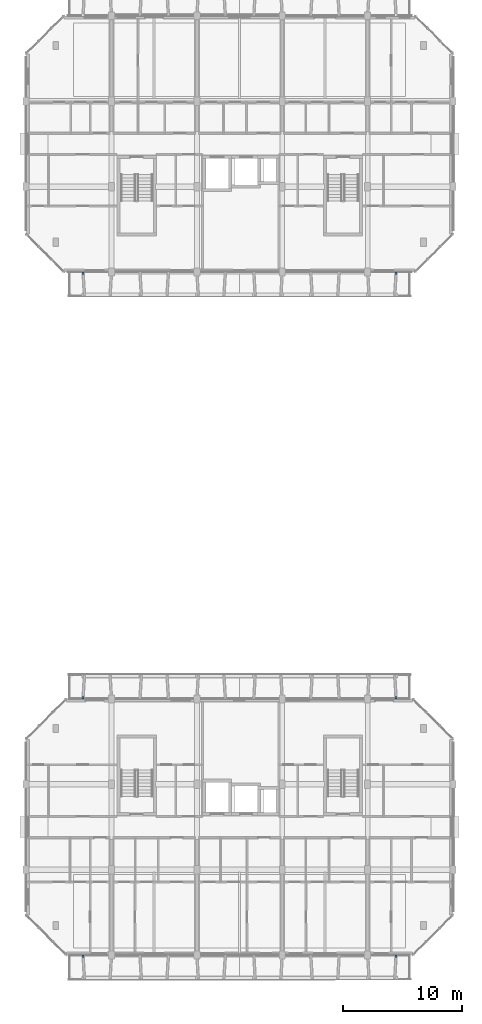
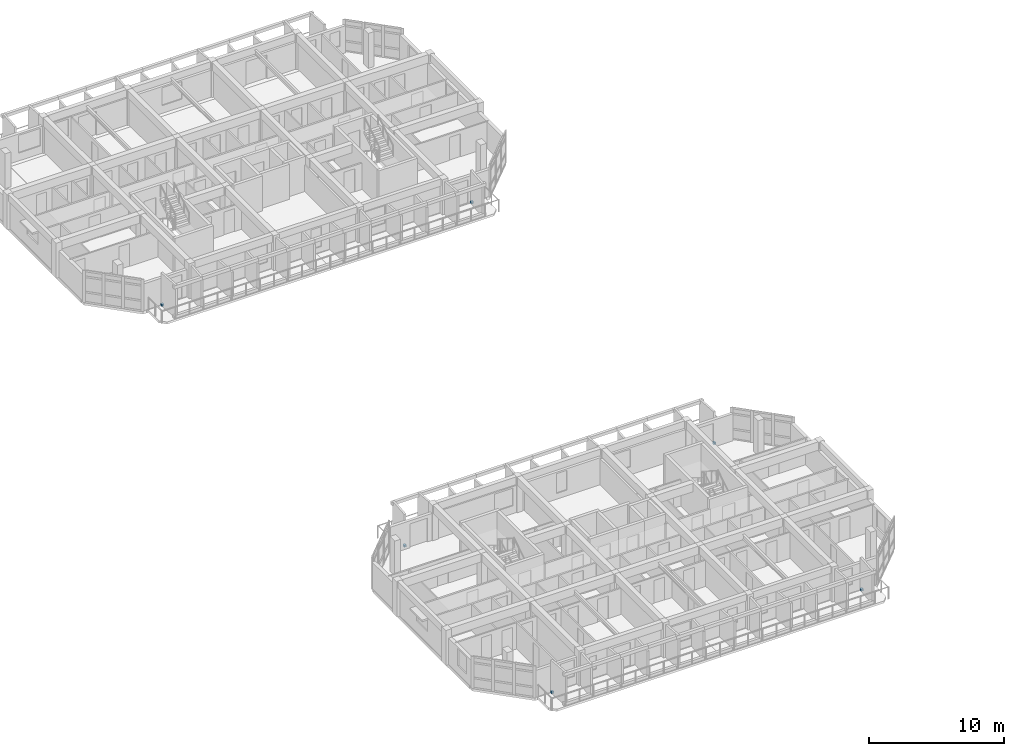
# One storey, part 29 of 43: 6 discrete accessories.
"""IFC4 building model written with IfcOpenShell, lengths in metres."""

from ifc_helpers import new_model, si_unit, direction, frame, origin, origin_2d, place, context, subcontext, project, spatial, rectangle, extrude, material, type_object, element, save


model = new_model("IFC4")

# Units and contexts
model_context = context("Model", 3, precision=1e-05, world=origin(), true_north=direction((0.0, 1.0)))
body_context = subcontext(model_context, "Body", "Model", "MODEL_VIEW")
ifc_project = project(units=[si_unit("LENGTHUNIT", "METRE"), si_unit("AREAUNIT", "SQUARE_METRE"), si_unit("VOLUMEUNIT", "CUBIC_METRE"), si_unit("PLANEANGLEUNIT", "RADIAN"), si_unit("MASSUNIT", "GRAM", prefix="KILO")], contexts=[model_context])

# Site, building, storey
site_placement = place(None, origin())
site = spatial("IfcSite", under=ifc_project, at=site_placement, CompositionType="ELEMENT")
building_placement = place(site_placement, origin())
building = spatial("IfcBuilding", under=site, at=building_placement, Name="Ochrevale Crest", CompositionType="ELEMENT")
storey_placement = place(building_placement, frame((0.0, 0.0, 15.0)))
storey = spatial("IfcBuildingStorey", under=building, at=storey_placement, Name="L04", CompositionType="ELEMENT", Elevation=15.0)

# Discrete accessories
ifc_material = material(Name="Galvanised steel", Category="steel")
discrete_accessory_type = type_object("IfcDiscreteAccessoryType", Name="ACC-BRK-HC", PredefinedType="BRACKET", material=ifc_material)
for number, where, z_axis, x_axis, name in (
    (1, (4.800048828125, 14.300048828125, 0.0), (0.0, 0.0, 1.0), (1.0, 0.0, 0.0), "Block A L04 precast loggia corbel bracket"),
    (2, (31.199951171875, 14.300048828125, 0.0), (0.0, 0.0, 1.0), (1.0, 0.0, 0.0), "Block A L04 precast loggia corbel bracket"),
    (3, (4.800048828125, 36.10009765625, 0.0), (0.0, 0.0, 1.0), (1.0, 0.0, 0.0), "Block A L04 precast loggia corbel bracket"),
    (4, (31.199951171875, 36.10009765625, 0.0), (0.0, 0.0, 1.0), (1.0, 0.0, 0.0), "Block A L04 precast loggia corbel bracket"),
    (5, (4.800048828125, 71.89990234375, 0.0), (0.0, 0.0, 1.0), (1.0, 0.0, 0.0), "Block B L04 precast loggia corbel bracket"),
    (6, (31.199951171875, 71.89990234375, 0.0), (0.0, 0.0, 1.0), (1.0, 0.0, 0.0), "Block B L04 precast loggia corbel bracket"),
):
    element("IfcDiscreteAccessory", number, at=place(storey_placement, frame(where, z_axis=z_axis, x_axis=x_axis)), inside=storey, type_object=discrete_accessory_type, Name=name, PredefinedType="BRACKET", context=body_context, shape_type="SweptSolid", body=[
        extrude(rectangle(XDim=0.179931640625, YDim=0.219970703125, at=origin_2d()), origin(), (0.0, 0.0, 1.0), 0.179931640625),
    ])

save(model, "model.ifc")
